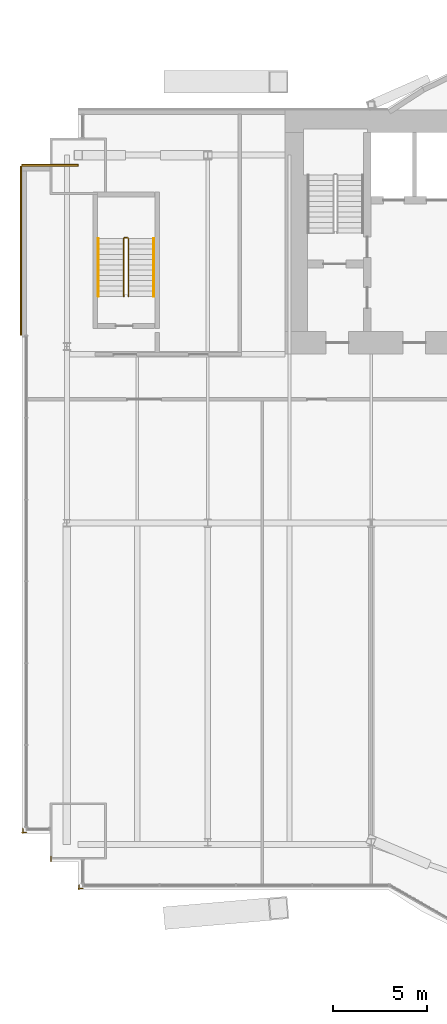
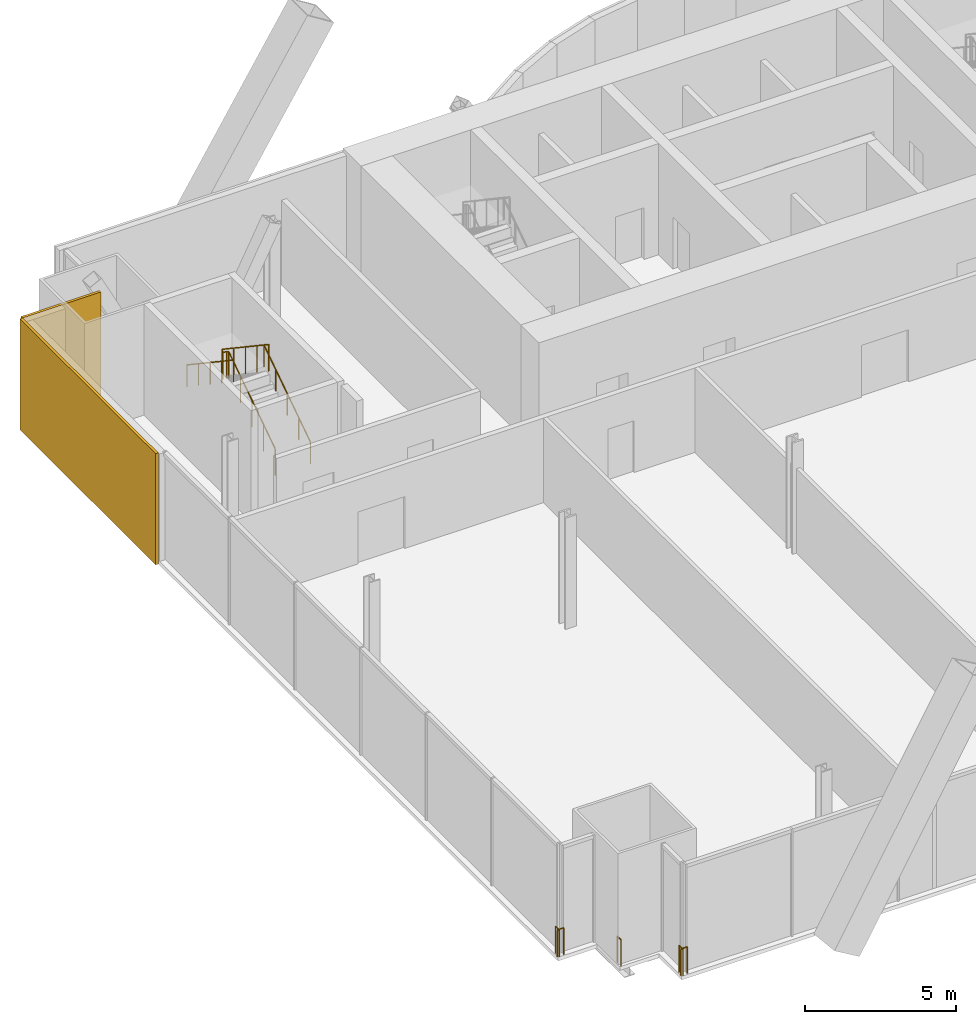
# One storey, part 20 of 23: 6 railings, 2 coverings.
"""IFC4 building model written with IfcOpenShell, lengths in metres."""

from ifc_helpers import new_model, si_unit, direction, frame, origin, origin_2d, place, context, subcontext, project, spatial, rectangle, circle, extrude, material, layer, layer_set, type_object, element, save


model = new_model("IFC4")

# Units and contexts
model_context = context("Model", 3, precision=1e-05, world=origin(), true_north=direction((0.0, 1.0)))
body_context = subcontext(model_context, "Body", "Model", "MODEL_VIEW")
ifc_project = project(units=[si_unit("LENGTHUNIT", "METRE"), si_unit("AREAUNIT", "SQUARE_METRE"), si_unit("VOLUMEUNIT", "CUBIC_METRE"), si_unit("PLANEANGLEUNIT", "RADIAN"), si_unit("MASSUNIT", "GRAM", prefix="KILO")], contexts=[model_context])

# Site, building, storey
site_placement = place(None, origin())
site = spatial("IfcSite", under=ifc_project, at=site_placement, CompositionType="ELEMENT")
building_placement = place(site_placement, origin())
building = spatial("IfcBuilding", under=site, at=building_placement, Name="Bicima Exchange Tower", CompositionType="ELEMENT")
storey_placement = place(building_placement, frame((0.0, 0.0, 44.0)))
storey = spatial("IfcBuildingStorey", under=building, at=storey_placement, Name="L08", CompositionType="ELEMENT", Elevation=44.0)

# Coverings
ifc_material_1 = material(Name="Bronze metal cladding")
ifc_layer_1 = layer(ifc_material_1, 0.004)
ifc_material_2 = material(Name="Ventilated cavity")
ifc_layer_2 = layer(ifc_material_2, 0.06)
ifc_material_3 = material(Name="Galvanised steel rail and mineral wool", Category="steel")
ifc_layer_3 = layer(ifc_material_3, 0.036)
ifc_layer_set = layer_set([ifc_layer_1, ifc_layer_2, ifc_layer_3], Name="Ventilated cavity")
covering_type = type_object("IfcCoveringType", Name="Bronze metal cladding panel 100", PredefinedType="CLADDING", material=ifc_layer_set)
covering_1_placement = place(storey_placement, frame((-34.5, -2.949951171875, -0.14990234375), z_axis=(0.0, 0.0, 1.0), x_axis=(-1.0, 0.0, 0.0)))
element("IfcCovering", 1, at=covering_1_placement, inside=storey, type_object=covering_type, Name="Bronze cladding L08 22.1", PredefinedType="CLADDING", context=body_context, shape_type="SweptSolid", body=[
    extrude(rectangle(XDim=3.0, YDim=0.10009765625, at=origin_2d()), origin(), (0.0, 0.0, 1.0), 4.5),
])
covering_2_placement = place(storey_placement, frame((-36.050048828125, -7.5, -0.14990234375), z_axis=(0.0, 0.0, 1.0), x_axis=(0.0, -1.0, 0.0)))
element("IfcCovering", 2, at=covering_2_placement, inside=storey, type_object=covering_type, Name="Bronze cladding L08 23.1", PredefinedType="CLADDING", context=body_context, shape_type="SweptSolid", body=[
    extrude(rectangle(XDim=9.0, YDim=0.10009765625, at=origin_2d()), origin(), (0.0, 0.0, 1.0), 4.5),
])

# Railings
ifc_material_4 = material(Name="Stainless steel and bonded safety glass", Category="steel")
railing_type_1 = type_object("IfcRailingType", Name="Edge guard 1100", PredefinedType="GUARDRAIL", material=ifc_material_4)
railing_1_placement = place(storey_placement, frame((-35.75, -38.4619140625, 0.0)))
element("IfcRailing", 3, at=railing_1_placement, inside=storey, type_object=railing_type_1, Name="Edge guard L08 27", PredefinedType="GUARDRAIL", context=body_context, shape_type="SweptSolid", body=[
    extrude(circle(Radius=0.02392578125, at=origin_2d()), frame((0.0, 0.0, 1.076171875), z_axis=(-1.0, 0.0, 0.0), x_axis=(0.0, -1.0, 0.0)), (0.0, 0.0, 1.0), 0.25),
    extrude(circle(Radius=0.02392578125, at=origin_2d()), frame((-0.25, 0.0, 1.076171875), z_axis=(0.707106781187, -0.707106781187, 0.0), x_axis=(0.707106781187, 0.707106781187, 0.0)), (0.0, 0.0, 1.0), 0.07080078125),
    extrude(circle(Radius=0.02392578125, at=origin_2d()), frame((-0.199951171875, -0.050048828125, 1.076171875), z_axis=(0.0, 1.0, 0.0), x_axis=(-1.0, 0.0, 0.0)), (0.0, 0.0, 1.0), 0.248046875),
    extrude(circle(Radius=0.02099609375, at=origin_2d()), origin(), (0.0, 0.0, 1.0), 1.052001953125),
    extrude(circle(Radius=0.02099609375, at=origin_2d()), frame((-0.25, 0.0, 0.0)), (0.0, 0.0, 1.0), 1.052001953125),
    extrude(circle(Radius=0.02099609375, at=origin_2d()), frame((-0.199951171875, -0.050048828125, 0.0)), (0.0, 0.0, 1.0), 1.052001953125),
    extrude(circle(Radius=0.02099609375, at=origin_2d()), frame((-0.199951171875, 0.197998046875, 0.0)), (0.0, 0.0, 1.0), 1.052001953125),
])
railing_2_placement = place(storey_placement, frame((-32.75, -41.4619140625, 0.0)))
element("IfcRailing", 4, at=railing_2_placement, inside=storey, type_object=railing_type_1, Name="Edge guard L08 31", PredefinedType="GUARDRAIL", context=body_context, shape_type="SweptSolid", body=[
    extrude(circle(Radius=0.02392578125, at=origin_2d()), frame((0.0, 0.0, 1.076171875), z_axis=(-1.0, 0.0, 0.0), x_axis=(0.0, -1.0, 0.0)), (0.0, 0.0, 1.0), 0.25),
    extrude(circle(Radius=0.02392578125, at=origin_2d()), frame((-0.25, 0.0, 1.076171875), z_axis=(0.707106781187, -0.707106781187, 0.0), x_axis=(0.707106781187, 0.707106781187, 0.0)), (0.0, 0.0, 1.0), 0.07080078125),
    extrude(circle(Radius=0.02392578125, at=origin_2d()), frame((-0.199951171875, -0.050048828125, 1.076171875), z_axis=(0.0, 1.0, 0.0), x_axis=(-1.0, 0.0, 0.0)), (0.0, 0.0, 1.0), 0.25),
    extrude(circle(Radius=0.02099609375, at=origin_2d()), origin(), (0.0, 0.0, 1.0), 1.052001953125),
    extrude(circle(Radius=0.02099609375, at=origin_2d()), frame((-0.25, 0.0, 0.0)), (0.0, 0.0, 1.0), 1.052001953125),
    extrude(circle(Radius=0.02099609375, at=origin_2d()), frame((-0.199951171875, -0.050048828125, 0.0)), (0.0, 0.0, 1.0), 1.052001953125),
    extrude(circle(Radius=0.02099609375, at=origin_2d()), frame((-0.199951171875, 0.199951171875, 0.0)), (0.0, 0.0, 1.0), 1.052001953125),
])
railing_3_placement = place(storey_placement, frame((-34.449951171875, -40.011962890625, 0.0)))
element("IfcRailing", 5, at=railing_3_placement, inside=storey, type_object=railing_type_1, Name="Edge guard L08 32", PredefinedType="GUARDRAIL", context=body_context, shape_type="SweptSolid", body=[
    extrude(circle(Radius=0.02392578125, at=origin_2d()), frame((0.0, 0.0, 1.076171875), z_axis=(0.0, 1.0, 0.0), x_axis=(-1.0, 0.0, 0.0)), (0.0, 0.0, 1.0), 0.25),
    extrude(circle(Radius=0.02099609375, at=origin_2d()), origin(), (0.0, 0.0, 1.0), 1.052001953125),
    extrude(circle(Radius=0.02099609375, at=origin_2d()), frame((0.0, 0.25, 0.0)), (0.0, 0.0, 1.0), 1.052001953125),
])
ifc_material_5 = material(Name="Stainless steel", Category="steel")
railing_type_2 = type_object("IfcRailingType", Name="Stair guard 1100", PredefinedType="GUARDRAIL", material=ifc_material_5)
railing_4_placement = place(storey_placement, frame((-30.324951171875, -9.925048828125, 0.1875)))
element("IfcRailing", 6, at=railing_4_placement, inside=storey, type_object=railing_type_2, Name="L08 ST-WW stair guard 1", PredefinedType="GUARDRAIL", context=body_context, shape_type="SweptSolid", body=[
    extrude(circle(Radius=0.02392578125, at=origin_2d()), frame((0.0, 0.0, 1.076171875), z_axis=(0.0, 0.830913701846, 0.55640131208), x_axis=(-1.0, 0.0, 0.0)), (0.0, 0.0, 1.0), 3.706787109375),
    extrude(circle(Radius=0.02392578125, at=origin_2d()), frame((0.0, 3.080078125, 3.138671875), z_axis=(-0.707106781187, 0.707106781187, 0.0), x_axis=(-0.707106781187, -0.707106781187, 0.0)), (0.0, 0.0, 1.0), 0.07080078125),
    extrude(circle(Radius=0.02392578125, at=origin_2d()), frame((-0.050048828125, 3.130126953125, 3.138671875), z_axis=(-1.0, 0.0, 0.0), x_axis=(0.0, -1.0, 0.0)), (0.0, 0.0, 1.0), 0.14990234375),
    extrude(circle(Radius=0.02392578125, at=origin_2d()), frame((-0.199951171875, 3.130126953125, 3.138671875), z_axis=(-0.249726431254, -0.249726431254, 0.935560483917), x_axis=(0.707106781187, -0.707106781187, 0.0)), (0.0, 0.0, 1.0), 0.200439453125),
    extrude(circle(Radius=0.02392578125, at=origin_2d()), frame((-0.25, 3.080078125, 3.326171875), z_axis=(0.0, -0.830913701846, 0.55640131208), x_axis=(1.0, 0.0, 0.0)), (0.0, 0.0, 1.0), 3.706787109375),
    extrude(circle(Radius=0.02099609375, at=origin_2d()), origin(), (0.0, 0.0, 1.0), 1.052001953125),
    extrude(circle(Radius=0.02099609375, at=origin_2d()), frame((0.0, 0.77001953125, 0.515625)), (0.0, 0.0, 1.0), 1.052001953125),
    extrude(circle(Radius=0.02099609375, at=origin_2d()), frame((0.0, 1.5400390625, 1.03125)), (0.0, 0.0, 1.0), 1.052001953125),
    extrude(circle(Radius=0.02099609375, at=origin_2d()), frame((0.0, 2.31005859375, 1.546875)), (0.0, 0.0, 1.0), 1.052001953125),
    extrude(circle(Radius=0.02099609375, at=origin_2d()), frame((0.0, 3.080078125, 2.0625)), (0.0, 0.0, 1.0), 1.052001953125),
    extrude(circle(Radius=0.02099609375, at=origin_2d()), frame((-0.050048828125, 3.130126953125, 2.0625)), (0.0, 0.0, 1.0), 1.052001953125),
    extrude(circle(Radius=0.02099609375, at=origin_2d()), frame((-0.199951171875, 3.130126953125, 2.0625)), (0.0, 0.0, 1.0), 1.052001953125),
    extrude(circle(Radius=0.02099609375, at=origin_2d()), frame((-0.25, 3.080078125, 2.25)), (0.0, 0.0, 1.0), 1.052001953125),
    extrude(circle(Radius=0.02099609375, at=origin_2d()), frame((-0.25, 2.31005859375, 2.765625)), (0.0, 0.0, 1.0), 1.052001953125),
    extrude(circle(Radius=0.02099609375, at=origin_2d()), frame((-0.25, 1.5400390625, 3.28125)), (0.0, 0.0, 1.0), 1.052001953125),
    extrude(circle(Radius=0.02099609375, at=origin_2d()), frame((-0.25, 0.77001953125, 3.796875)), (0.0, 0.0, 1.0), 1.052001953125),
    extrude(circle(Radius=0.02099609375, at=origin_2d()), frame((-0.25, 0.0, 4.3125)), (0.0, 0.0, 1.0), 1.052001953125),
])
railing_type_3 = type_object("IfcRailingType", Name="Stair handrail 900", PredefinedType="HANDRAIL", material=ifc_material_5)
railing_5_placement = place(storey_placement, frame((-28.97509765625, -9.925048828125, 0.1875)))
element("IfcRailing", 7, at=railing_5_placement, inside=storey, type_object=railing_type_3, Name="L08 ST-WW stair handrail 1", PredefinedType="HANDRAIL", context=body_context, shape_type="SweptSolid", body=[
    extrude(circle(Radius=0.02392578125, at=origin_2d()), frame((0.0, 0.0, 0.8759765625), z_axis=(0.0, 0.830913701846, 0.55640131208), x_axis=(-1.0, 0.0, 0.0)), (0.0, 0.0, 1.0), 3.706787109375),
    extrude(circle(Radius=0.02099609375, at=origin_2d()), origin(), (0.0, 0.0, 1.0), 0.851806640625),
    extrude(circle(Radius=0.02099609375, at=origin_2d()), frame((0.0, 0.77001953125, 0.515625)), (0.0, 0.0, 1.0), 0.851806640625),
    extrude(circle(Radius=0.02099609375, at=origin_2d()), frame((0.0, 1.5400390625, 1.03125)), (0.0, 0.0, 1.0), 0.851806640625),
    extrude(circle(Radius=0.02099609375, at=origin_2d()), frame((0.0, 2.31005859375, 1.546875)), (0.0, 0.0, 1.0), 0.851806640625),
    extrude(circle(Radius=0.02099609375, at=origin_2d()), frame((0.0, 3.080078125, 2.0625)), (0.0, 0.0, 1.0), 0.851806640625),
])
railing_6_placement = place(storey_placement, frame((-31.925048828125, -6.844970703125, 2.47900390625)))
element("IfcRailing", 8, at=railing_6_placement, inside=storey, type_object=railing_type_3, Name="L08 ST-WW stair handrail 2", PredefinedType="HANDRAIL", context=body_context, shape_type="SweptSolid", body=[
    extrude(circle(Radius=0.02392578125, at=origin_2d()), frame((0.0, 0.0, 0.8759765625), z_axis=(0.0, -0.830913701846, 0.55640131208), x_axis=(1.0, 0.0, 0.0)), (0.0, 0.0, 1.0), 3.706787109375),
    extrude(circle(Radius=0.02099609375, at=origin_2d()), origin(), (0.0, 0.0, 1.0), 0.851806640625),
    extrude(circle(Radius=0.02099609375, at=origin_2d()), frame((0.0, -0.77001953125, 0.515625)), (0.0, 0.0, 1.0), 0.851806640625),
    extrude(circle(Radius=0.02099609375, at=origin_2d()), frame((0.0, -1.5400390625, 1.03125)), (0.0, 0.0, 1.0), 0.851806640625),
    extrude(circle(Radius=0.02099609375, at=origin_2d()), frame((0.0, -2.31005859375, 1.546875)), (0.0, 0.0, 1.0), 0.851806640625),
    extrude(circle(Radius=0.02099609375, at=origin_2d()), frame((0.0, -3.080078125, 2.0625)), (0.0, 0.0, 1.0), 0.851806640625),
])

save(model, "model.ifc")
